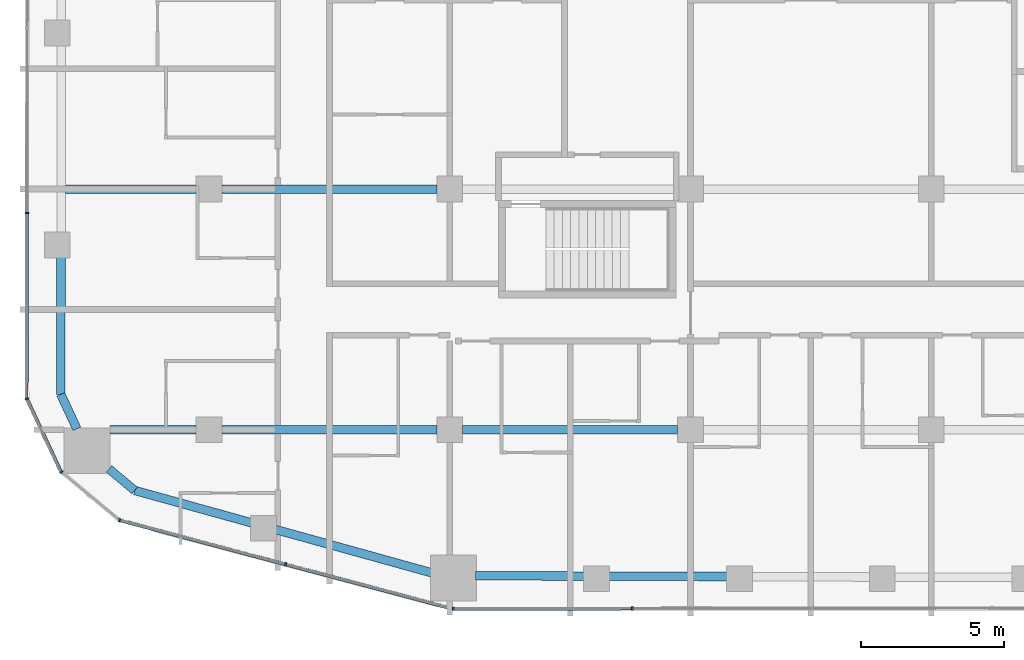
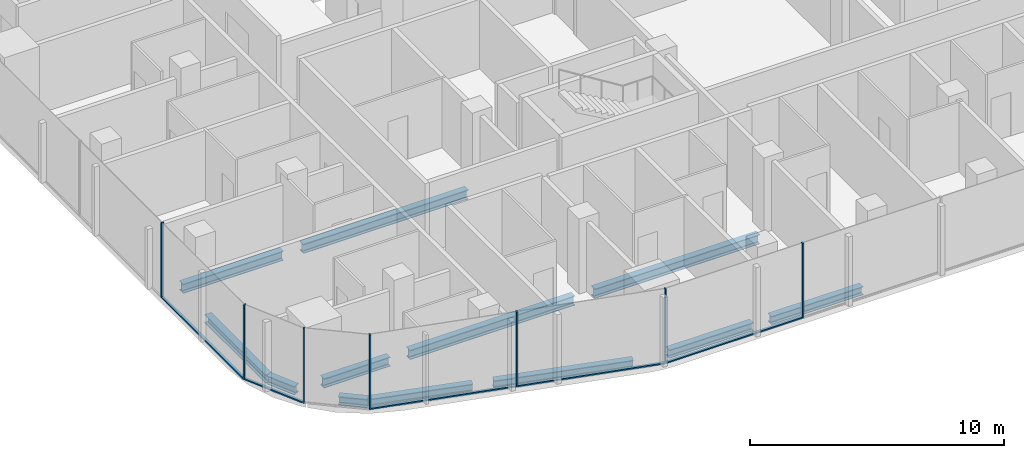
# One storey, part 2 of 23: 12 beams, 12 members, 5 elements without a shape of their own.
"""IFC4 building model written with IfcOpenShell, lengths in metres."""

import ifcopenshell
import ifcopenshell.guid

model = None  # the IFC model being written
_history = None  # IfcOwnerHistory: only IFC2X3 demands one
_inside = {}  # id of a spatial element -> (the spatial element, [elements in it])
_under = {}  # id of a project, library or spatial element -> (it, [spatial elements below it])
_declared = {}  # id of a project -> (the project, [libraries it declares])
_typed = {}  # id of a type object -> (the type object, [elements of that type])
_made_of = {}  # id of a material, layer set ... -> (it, [elements and type objects made of it])


def new_model(schema):
    """Start an empty IFC model of exactly this schema.

    Asked for "IFC4X3", IfcOpenShell would pick the latest addendum, in which some entities
    have other attributes; the version numbers below select the first issue.
    IFC2X3 requires an IfcOwnerHistory on every rooted entity: one is made here for all.
    """
    global model, _history
    if schema == "IFC4X3":
        model = ifcopenshell.file(schema_version=(4, 3, 0, 0))
    else:
        model = ifcopenshell.file(schema=schema)
    _inside.clear()
    _under.clear()
    _declared.clear()
    _typed.clear()
    _made_of.clear()
    _history = None
    if model.schema == "IFC2X3":
        org = make("IfcOrganization", Name="unknown")
        user = make(
            "IfcPersonAndOrganization",
            ThePerson=make("IfcPerson", FamilyName="unknown"),
            TheOrganization=org,
        )
        app = make(
            "IfcApplication",
            ApplicationDeveloper=org,
            Version="unknown",
            ApplicationFullName="unknown",
            ApplicationIdentifier="unknown",
        )
        _history = make(
            "IfcOwnerHistory",
            OwningUser=user,
            OwningApplication=app,
            ChangeAction="ADDED",
            CreationDate=0,
        )
    return model


def make(cls, **values):
    """One entity of the class cls with the attributes given. An attribute that is None is left unset."""
    return model.create_entity(
        cls, **{name: value for name, value in values.items() if value is not None}
    )


def rooted(cls, **values):
    """An entity with a GlobalId (a new one), such as an element, a storey or a relation."""
    return make(cls, GlobalId=ifcopenshell.guid.new(), OwnerHistory=_history, **values)


def si_unit(unit_type, name, prefix=None):
    """IfcSIUnit, for example si_unit("LENGTHUNIT", "METRE", prefix="MILLI")."""
    return make("IfcSIUnit", UnitType=unit_type, Prefix=prefix, Name=name)


def assignment(units):
    """IfcUnitAssignment: the units of a project."""
    return None if units is None else make("IfcUnitAssignment", Units=units)


def point(xyz):
    """IfcCartesianPoint."""
    return None if xyz is None else make("IfcCartesianPoint", Coordinates=xyz)


def direction(xyz):
    """IfcDirection."""
    return None if xyz is None else make("IfcDirection", DirectionRatios=xyz)


def frame(location, z_axis=None, x_axis=None):
    """IfcAxis2Placement3D, a coordinate frame: its origin and axes. An axis left out is left unset."""
    return make(
        "IfcAxis2Placement3D",
        Location=point(location),
        Axis=direction(z_axis),
        RefDirection=direction(x_axis),
    )


def frame_2d(location, x_axis=None):
    """IfcAxis2Placement2D, a coordinate frame in the plane: its origin and x axis."""
    return make(
        "IfcAxis2Placement2D", Location=point(location), RefDirection=direction(x_axis)
    )


def origin():
    """The frame at (0, 0, 0) with its axes left unset."""
    return frame((0.0, 0.0, 0.0))


def origin_2d():
    """The frame at (0, 0) in the plane with its x axis left unset."""
    return frame_2d((0.0, 0.0))


def place(relative_to, where):
    """IfcLocalPlacement: puts the frame where relative to a parent placement (None: the world)."""
    return make(
        "IfcLocalPlacement", PlacementRelTo=relative_to, RelativePlacement=where
    )


def context(
    kind, dimensions, precision=None, world=None, true_north=None, identifier=None
):
    """IfcGeometricRepresentationContext, for example the 3D "Model" context."""
    return make(
        "IfcGeometricRepresentationContext",
        ContextIdentifier=identifier,
        ContextType=kind,
        CoordinateSpaceDimension=dimensions,
        Precision=precision,
        WorldCoordinateSystem=world,
        TrueNorth=true_north,
    )


def subcontext(parent, identifier, kind, view, scale=None):
    """IfcGeometricRepresentationSubContext, for example "Body" below "Model"."""
    return make(
        "IfcGeometricRepresentationSubContext",
        ContextIdentifier=identifier,
        ContextType=kind,
        ParentContext=parent,
        TargetScale=scale,
        TargetView=view,
    )


def project(units=None, contexts=None):
    """IfcProject with its units and contexts."""
    return rooted(
        "IfcProject",
        Name="project",
        RepresentationContexts=contexts,
        UnitsInContext=assignment(units),
    )


def spatial(cls, under=None, at=None, **own):
    """A site, building, storey or space (cls), placed at a placement, below another one or the project."""
    s = rooted(cls, ObjectPlacement=at, **own)
    if under is not None:
        _under.setdefault(under.id(), (under, []))[1].append(s)
    return s


def profile(cls, at=None, kind="AREA", **sizes):
    """A parametric profile (cls). Its sizes go by their IFC names, for example OverallWidth=200.0."""
    return make(cls, ProfileType=kind, Position=at, **sizes)


def rectangle(**sizes):
    """IfcRectangleProfileDef."""
    return profile("IfcRectangleProfileDef", **sizes)


def i_section(**sizes):
    """IfcIShapeProfileDef."""
    return profile("IfcIShapeProfileDef", **sizes)


def extrude(swept, where, along, depth):
    """IfcExtrudedAreaSolid: the profile swept, set in the frame where, extruded along a direction by depth."""
    return make(
        "IfcExtrudedAreaSolid",
        SweptArea=swept,
        Position=where,
        ExtrudedDirection=direction(along),
        Depth=depth,
    )


def shape(context_of_items, identifier, shape_type, items):
    """IfcShapeRepresentation: the items that make up one representation, for example the "Body"."""
    return make(
        "IfcShapeRepresentation",
        ContextOfItems=context_of_items,
        RepresentationIdentifier=identifier,
        RepresentationType=shape_type,
        Items=items,
    )


def material(Name=None, Category=None):
    """IfcMaterial."""
    return make("IfcMaterial", Name=Name, Category=Category)


def layer(
    of_material, thickness, ventilated=None, Name=None, Category=None, Priority=None
):
    """IfcMaterialLayer: one layer of a wall or slab, of a material (None: an air gap)."""
    return make(
        "IfcMaterialLayer",
        Material=of_material,
        LayerThickness=thickness,
        IsVentilated=ventilated,
        Name=Name,
        Category=Category,
        Priority=Priority,
    )


def layer_set(layers, Name=None):
    """IfcMaterialLayerSet."""
    return make("IfcMaterialLayerSet", MaterialLayers=layers, LayerSetName=Name)


def material_profile(
    of_material, cross_section, Name=None, Category=None, Priority=None
):
    """IfcMaterialProfile: a cross section and its material."""
    return make(
        "IfcMaterialProfile",
        Name=Name,
        Material=of_material,
        Profile=cross_section,
        Priority=Priority,
        Category=Category,
    )


def profile_set(profiles, Name=None, composite=None):
    """IfcMaterialProfileSet."""
    return make(
        "IfcMaterialProfileSet",
        Name=Name,
        MaterialProfiles=profiles,
        CompositeProfile=composite,
    )


def made_of(thing, what):
    """Note that an element or type object is made of a material, layer set ...; save() writes the relation."""
    if what is not None:
        _made_of.setdefault(what.id(), (what, []))[1].append(thing)
    return thing


def type_object(cls, material=None, **own):
    """A type object (cls), such as IfcWallType, which elements share."""
    return made_of(rooted(cls, **own), material)


def element(
    cls,
    number,
    at=None,
    inside=None,
    cuts=None,
    type_object=None,
    material=None,
    context=None,
    identifier="Body",
    shape_type=None,
    held_by="IfcProductDefinitionShape",
    body=None,
    shapes=None,
    **own,
):
    """One element of the class cls, such as IfcWall. Its Tag is "e" and its number.

    at: its placement. inside: the storey or other place that contains it. cuts: it is an
    opening in that element (IfcRelVoidsElement). A single representation is given by context,
    identifier, shape_type and body (its items); several are given by shapes. held_by: the class
    of the entity that holds the representations. save() writes the other relations.
    """
    e = rooted(cls, Tag="e%d" % number, ObjectPlacement=at, **own)
    if body is not None:
        shapes = [shape(context, identifier, shape_type, body)]
    if shapes is not None:
        e.Representation = make(held_by, Representations=shapes)
    if inside is not None:
        _inside.setdefault(inside.id(), (inside, []))[1].append(e)
    if cuts is not None:
        rooted(
            "IfcRelVoidsElement", RelatingBuildingElement=cuts, RelatedOpeningElement=e
        )
    if type_object is not None:
        _typed.setdefault(type_object.id(), (type_object, []))[1].append(e)
    return made_of(e, material)


def aggregate(whole, parts):
    """IfcRelAggregates: a whole, such as a stair, and the parts it consists of."""
    return rooted("IfcRelAggregates", RelatingObject=whole, RelatedObjects=parts)


def save(model, path):
    """Write the relations noted so far, then the file.

    IfcRelAggregates (storeys below a building ...), IfcRelContainedInSpatialStructure (elements
    in a storey), IfcRelDefinesByType, IfcRelAssociatesMaterial and IfcRelDeclares: one each for
    every whole, place, type object, material and project.
    """
    for whole, parts in _under.values():
        aggregate(whole, parts)
    for where, things in _inside.values():
        rooted(
            "IfcRelContainedInSpatialStructure",
            RelatedElements=things,
            RelatingStructure=where,
        )
    for kind, things in _typed.values():
        rooted("IfcRelDefinesByType", RelatedObjects=things, RelatingType=kind)
    for what, things in _made_of.values():
        rooted("IfcRelAssociatesMaterial", RelatedObjects=things, RelatingMaterial=what)
    for by, libraries in _declared.values():
        rooted("IfcRelDeclares", RelatingContext=by, RelatedDefinitions=libraries)
    model.write(path)


model = new_model("IFC4")

# Units and contexts
model_context = context("Model", 3, precision=1e-05, world=origin(), true_north=direction((0.0, 1.0)))
body_context = subcontext(model_context, "Body", "Model", "MODEL_VIEW")
ifc_project = project(units=[si_unit("LENGTHUNIT", "METRE"), si_unit("AREAUNIT", "SQUARE_METRE"), si_unit("VOLUMEUNIT", "CUBIC_METRE"), si_unit("PLANEANGLEUNIT", "RADIAN"), si_unit("MASSUNIT", "GRAM", prefix="KILO")], contexts=[model_context])

# Site, building, storey
site_placement = place(None, origin())
site = spatial("IfcSite", under=ifc_project, at=site_placement, CompositionType="ELEMENT")
building_placement = place(site_placement, origin())
building = spatial("IfcBuilding", under=site, at=building_placement, Name="Marenta Gate Hotel Tower", CompositionType="ELEMENT")
storey_placement = place(building_placement, frame((0.0, 0.0, 112.10009765625)))
storey = spatial("IfcBuildingStorey", under=building, at=storey_placement, Name="L24", CompositionType="ELEMENT", Elevation=112.10009765625)

# Beams
ifc_material_1 = material(Name="Steel S355", Category="steel")
ifc_material_profile_1 = material_profile(ifc_material_1, i_section(OverallWidth=0.300048828125, OverallDepth=0.39990234375, WebThickness=0.013427734375, FlangeThickness=0.02392578125, FilletRadius=0.027099609375, at=origin_2d()), Name="HEB 400")
ifc_profile_set_1 = profile_set([ifc_material_profile_1], Name="Steel S355")
beam_type_1 = type_object("IfcBeamType", Name="Edge beam HEB 400", PredefinedType="SPANDREL", material=ifc_profile_set_1)
beam_1_placement = place(storey_placement, frame((-13.227783203125, -21.794677734375, -0.460205078125), z_axis=(-0.963615860477, 0.267290990189, 0.0), x_axis=(-0.267290990189, -0.963615860477, 0.0)))
element("IfcBeam", 1, at=beam_1_placement, inside=storey, type_object=beam_type_1, Name="L24-EB-1", PredefinedType="SPANDREL", context=body_context, shape_type="SweptSolid", body=[
    extrude(i_section(OverallWidth=0.300048828125, OverallDepth=0.39990234375, WebThickness=0.013427734375, FlangeThickness=0.02392578125, FilletRadius=0.027099609375, at=origin_2d()), origin(), (0.0, 0.0, 1.0), 5.674072265625),
])
beam_2_placement = place(storey_placement, frame((-19.518310546875, -20.0498046875, -0.460205078125), z_axis=(-0.963630213062, 0.267239242016, 0.0), x_axis=(-0.267239242016, -0.963630213062, 0.0)))
element("IfcBeam", 2, at=beam_2_placement, inside=storey, type_object=beam_type_1, Name="L24-EB-2", PredefinedType="SPANDREL", context=body_context, shape_type="SweptSolid", body=[
    extrude(i_section(OverallWidth=0.300048828125, OverallDepth=0.39990234375, WebThickness=0.013427734375, FlangeThickness=0.02392578125, FilletRadius=0.027099609375, at=origin_2d()), origin(), (0.0, 0.0, 1.0), 4.232666015625),
])
beam_3_placement = place(storey_placement, frame((-23.596923828125, -18.918701171875, -0.460205078125), z_axis=(-0.767073132856, 0.641559668972, 0.0), x_axis=(-0.641559668972, -0.767073132856, 0.0)))
element("IfcBeam", 3, at=beam_3_placement, inside=storey, type_object=beam_type_1, Name="L24-EB-3", PredefinedType="SPANDREL", context=body_context, shape_type="SweptSolid", body=[
    extrude(i_section(OverallWidth=0.300048828125, OverallDepth=0.39990234375, WebThickness=0.013427734375, FlangeThickness=0.02392578125, FilletRadius=0.027099609375, at=origin_2d()), origin(), (0.0, 0.0, 1.0), 1.1689453125),
])
beam_4_placement = place(storey_placement, frame((-25.613525390625, -16.769287109375, -0.460205078125), z_axis=(-0.423207780269, 0.906032656541, 0.0), x_axis=(-0.906032656541, -0.423207780269, 0.0)))
element("IfcBeam", 4, at=beam_4_placement, inside=storey, type_object=beam_type_1, Name="L24-EB-4", PredefinedType="SPANDREL", context=body_context, shape_type="SweptSolid", body=[
    extrude(i_section(OverallWidth=0.300048828125, OverallDepth=0.39990234375, WebThickness=0.013427734375, FlangeThickness=0.02392578125, FilletRadius=0.027099609375, at=origin_2d()), origin(), (0.0, 0.0, 1.0), 1.326904296875),
])
beam_5_placement = place(storey_placement, frame((-26.175048828125, -15.567138671875, -0.460205078125), z_axis=(0.001371810517, 0.999999059068, 0.0), x_axis=(-0.999999059068, 0.001371810517, 0.0)))
element("IfcBeam", 5, at=beam_5_placement, inside=storey, type_object=beam_type_1, Name="L24-EB-5", PredefinedType="SPANDREL", context=body_context, shape_type="SweptSolid", body=[
    extrude(i_section(OverallWidth=0.300048828125, OverallDepth=0.39990234375, WebThickness=0.013427734375, FlangeThickness=0.02392578125, FilletRadius=0.027099609375, at=origin_2d()), origin(), (0.0, 0.0, 1.0), 4.80517578125),
])
beam_6_placement = place(storey_placement, frame((-2.9033203125, -21.92333984375, -0.460205078125), z_axis=(-0.999994807487, 0.003222576575, 0.0), x_axis=(-0.003222576575, -0.999994807487, 0.0)))
element("IfcBeam", 6, at=beam_6_placement, inside=storey, type_object=beam_type_1, Name="L24-EB-35", PredefinedType="SPANDREL", context=body_context, shape_type="SweptSolid", body=[
    extrude(i_section(OverallWidth=0.300048828125, OverallDepth=0.39990234375, WebThickness=0.013427734375, FlangeThickness=0.02392578125, FilletRadius=0.027099609375, at=origin_2d()), origin(), (0.0, 0.0, 1.0), 4.166748046875),
])
beam_7_placement = place(storey_placement, frame((-7.89013671875, -21.907470703125, -0.460205078125), z_axis=(-0.999994677283, 0.003262729738, 0.0), x_axis=(-0.003262729738, -0.999994677283, 0.0)))
element("IfcBeam", 7, at=beam_7_placement, inside=storey, type_object=beam_type_1, Name="L24-EB-36", PredefinedType="SPANDREL", context=body_context, shape_type="SweptSolid", body=[
    extrude(i_section(OverallWidth=0.300048828125, OverallDepth=0.39990234375, WebThickness=0.013427734375, FlangeThickness=0.02392578125, FilletRadius=0.027099609375, at=origin_2d()), origin(), (0.0, 0.0, 1.0), 3.816162109375),
])
ifc_material_2 = material(Name="Steel S355", Category="steel")
ifc_material_profile_2 = material_profile(ifc_material_2, i_section(OverallWidth=0.300048828125, OverallDepth=0.449951171875, WebThickness=0.013916015625, FlangeThickness=0.02587890625, FilletRadius=0.027099609375, at=origin_2d()), Name="HEB 450")
ifc_profile_set_2 = profile_set([ifc_material_profile_2], Name="Steel S355")
beam_type_2 = type_object("IfcBeamType", Name="Girder HEB 450", PredefinedType="BEAM", material=ifc_profile_set_2)
beam_8_placement = place(storey_placement, frame((-24.462890625, -16.800048828125, -0.485107421875), z_axis=(1.0, 0.0, 0.0), x_axis=(0.0, 1.0, 0.0)))
element("IfcBeam", 8, at=beam_8_placement, inside=storey, type_object=beam_type_2, Name="L24-GD-1", PredefinedType="BEAM", context=body_context, shape_type="SweptSolid", body=[
    extrude(i_section(OverallWidth=0.300048828125, OverallDepth=0.449951171875, WebThickness=0.013916015625, FlangeThickness=0.02587890625, FilletRadius=0.027099609375, at=origin_2d()), origin(), (0.0, 0.0, 1.0), 3.012939453125),
])
for number, where, z_axis, x_axis, name in (
    (9, (-20.550048828125, -16.800048828125, -0.485107421875), (1.0, 0.0, 0.0), (0.0, 1.0, 0.0), "L24-GD-2"),
    (10, (-12.14990234375, -16.800048828125, -0.485107421875), (1.0, 0.0, 0.0), (0.0, 1.0, 0.0), "L24-GD-3"),
):
    element("IfcBeam", number, at=place(storey_placement, frame(where, z_axis=z_axis, x_axis=x_axis)), inside=storey, type_object=beam_type_2, Name=name, PredefinedType="BEAM", context=body_context, shape_type="SweptSolid", body=[
        extrude(i_section(OverallWidth=0.300048828125, OverallDepth=0.449951171875, WebThickness=0.013916015625, FlangeThickness=0.02587890625, FilletRadius=0.027099609375, at=origin_2d()), origin(), (0.0, 0.0, 1.0), 7.5),
    ])
beam_9_placement = place(storey_placement, frame((-26.01513671875, -8.39990234375, -0.485107421875), z_axis=(1.0, 0.0, 0.0), x_axis=(0.0, 1.0, 0.0)))
element("IfcBeam", 11, at=beam_9_placement, inside=storey, type_object=beam_type_2, Name="L24-GD-8", PredefinedType="BEAM", context=body_context, shape_type="SweptSolid", body=[
    extrude(i_section(OverallWidth=0.300048828125, OverallDepth=0.449951171875, WebThickness=0.013916015625, FlangeThickness=0.02587890625, FilletRadius=0.027099609375, at=origin_2d()), origin(), (0.0, 0.0, 1.0), 4.565185546875),
])
beam_10_placement = place(storey_placement, frame((-20.550048828125, -8.39990234375, -0.485107421875), z_axis=(1.0, 0.0, 0.0), x_axis=(0.0, 1.0, 0.0)))
element("IfcBeam", 12, at=beam_10_placement, inside=storey, type_object=beam_type_2, Name="L24-GD-9", PredefinedType="BEAM", context=body_context, shape_type="SweptSolid", body=[
    extrude(i_section(OverallWidth=0.300048828125, OverallDepth=0.449951171875, WebThickness=0.013916015625, FlangeThickness=0.02587890625, FilletRadius=0.027099609375, at=origin_2d()), origin(), (0.0, 0.0, 1.0), 7.5),
])

# Curtain wall, member
ifc_material_3 = material(Name="Tinted insulated glass in bronze anodised frame", Category="glass")
ifc_layer = layer(ifc_material_3, 0.1201171875)
ifc_layer_set = layer_set([ifc_layer], Name="Tinted insulated glass in bronze anodised frame")
curtain_wall_type = type_object("IfcCurtainWallType", Name="Tower unitised curtain wall CW1", PredefinedType="NOTDEFINED", material=ifc_layer_set)
curtain_wall_1_placement = place(storey_placement, origin())
curtain_wall_1 = element("IfcCurtainWall", 13, at=curtain_wall_1_placement, inside=storey, type_object=curtain_wall_type, Name="CW1 run G03", PredefinedType="NOTDEFINED")
ifc_material_4 = material(Name="Bronze anodised aluminium", Category="aluminium")
ifc_material_profile_3 = material_profile(ifc_material_4, rectangle(XDim=0.1201171875, YDim=0.06005859375, at=origin_2d()), Name="Mullion CW1 60x120 bronze anodised aluminium")
ifc_profile_set_3 = profile_set([ifc_material_profile_3], Name="Bronze anodised aluminium")
member_type_1 = type_object("IfcMemberType", Name="Mullion CW1 60x120 bronze anodised aluminium", PredefinedType="MULLION", material=ifc_profile_set_3)
member_1_placement = place(storey_placement, frame((-27.36279296875, -9.23388671875, 0.0), z_axis=(0.0, 0.0, 1.0), x_axis=(0.99999877375, -0.001566045546, 0.0)))
member_1 = element("IfcMember", 14, at=member_1_placement, type_object=member_type_1, Name="CW1 mullion 6", PredefinedType="MULLION", context=body_context, shape_type="SweptSolid", body=[
    extrude(rectangle(XDim=0.1201171875, YDim=0.06005859375, at=origin_2d()), origin(), (0.0, 0.0, 1.0), 3.599853515625),
])

curtain_wall_2_placement = place(storey_placement, origin())
curtain_wall_2 = element("IfcCurtainWall", 15, at=curtain_wall_2_placement, inside=storey, type_object=curtain_wall_type, Name="CW1 run G04", PredefinedType="NOTDEFINED")
member_2_placement = place(storey_placement, frame((-27.3603515625, -15.720947265625, 0.0), z_axis=(0.0, 0.0, 1.0), x_axis=(0.905971778319, 0.423338088163, 0.0)))
member_2 = element("IfcMember", 16, at=member_2_placement, type_object=member_type_1, Name="CW1 mullion 1", PredefinedType="MULLION", context=body_context, shape_type="SweptSolid", body=[
    extrude(rectangle(XDim=0.1201171875, YDim=0.06005859375, at=origin_2d()), origin(), (0.0, 0.0, 1.0), 3.599853515625),
])

curtain_wall_3_placement = place(storey_placement, origin())
curtain_wall_3 = element("IfcCurtainWall", 17, at=curtain_wall_3_placement, inside=storey, type_object=curtain_wall_type, Name="CW1 run G05", PredefinedType="NOTDEFINED")
member_3_placement = place(storey_placement, frame((-26.152099609375, -18.27685546875, 0.0), z_axis=(0.0, 0.0, 1.0), x_axis=(0.641512168126, 0.767112858807, 0.0)))
member_3 = element("IfcMember", 18, at=member_3_placement, type_object=member_type_1, Name="CW1 mullion 1", PredefinedType="MULLION", context=body_context, shape_type="SweptSolid", body=[
    extrude(rectangle(XDim=0.1201171875, YDim=0.06005859375, at=origin_2d()), origin(), (0.0, 0.0, 1.0), 3.599853515625),
])
aggregate(curtain_wall_3, [member_3])

# Curtain wall, members
curtain_wall_4_placement = place(storey_placement, origin())
curtain_wall_4 = element("IfcCurtainWall", 19, at=curtain_wall_4_placement, inside=storey, type_object=curtain_wall_type, Name="CW1 run G06", PredefinedType="NOTDEFINED")
member_4_placement = place(storey_placement, frame((-24.12451171875, -19.955810546875, 0.0), z_axis=(0.0, 0.0, 1.0), x_axis=(0.257143631229, 0.966373195468, 0.0)))
member_4 = element("IfcMember", 20, at=member_4_placement, type_object=member_type_1, Name="CW1 mullion 1", PredefinedType="MULLION", context=body_context, shape_type="SweptSolid", body=[
    extrude(rectangle(XDim=0.1201171875, YDim=0.06005859375, at=origin_2d()), origin(), (0.0, 0.0, 1.0), 3.599853515625),
])
member_5_placement = place(storey_placement, frame((-18.32958984375, -21.497802734375, 0.0), z_axis=(0.0, 0.0, 1.0), x_axis=(0.257143631229, 0.966373195468, 0.0)))
member_5 = element("IfcMember", 21, at=member_5_placement, type_object=member_type_1, Name="CW1 mullion 2", PredefinedType="MULLION", context=body_context, shape_type="SweptSolid", body=[
    extrude(rectangle(XDim=0.1201171875, YDim=0.06005859375, at=origin_2d()), origin(), (0.0, 0.0, 1.0), 3.599853515625),
])

curtain_wall_5_placement = place(storey_placement, origin())
curtain_wall_5 = element("IfcCurtainWall", 22, at=curtain_wall_5_placement, inside=storey, type_object=curtain_wall_type, Name="CW1 run G07", PredefinedType="NOTDEFINED")
member_6_placement = place(storey_placement, frame((-12.475830078125, -23.04736328125, 0.0), z_axis=(0.0, 0.0, 1.0), x_axis=(-0.001362347707, 0.999999072004, 0.0)))
member_6 = element("IfcMember", 23, at=member_6_placement, type_object=member_type_1, Name="CW1 mullion 1", PredefinedType="MULLION", context=body_context, shape_type="SweptSolid", body=[
    extrude(rectangle(XDim=0.1201171875, YDim=0.06005859375, at=origin_2d()), origin(), (0.0, 0.0, 1.0), 3.599853515625),
])
member_7_placement = place(storey_placement, frame((-6.22998046875, -23.0390625, 0.0), z_axis=(0.0, 0.0, 1.0), x_axis=(-0.001362347707, 0.999999072004, 0.0)))
member_7 = element("IfcMember", 24, at=member_7_placement, type_object=member_type_1, Name="CW1 mullion 2", PredefinedType="MULLION", context=body_context, shape_type="SweptSolid", body=[
    extrude(rectangle(XDim=0.1201171875, YDim=0.06005859375, at=origin_2d()), origin(), (0.0, 0.0, 1.0), 3.599853515625),
])

# Member
ifc_material_5 = material(Name="Bronze anodised aluminium", Category="aluminium")
ifc_material_profile_4 = material_profile(ifc_material_5, rectangle(XDim=0.1201171875, YDim=0.06005859375, at=origin_2d()), Name="Transom CW1 60x120 bronze anodised aluminium")
ifc_profile_set_4 = profile_set([ifc_material_profile_4], Name="Bronze anodised aluminium")
member_type_2 = type_object("IfcMemberType", Name="Transom CW1 60x120 bronze anodised aluminium", PredefinedType="USERDEFINED", material=ifc_profile_set_4)
member_8_placement = place(storey_placement, frame((-27.363037109375, -9.263916015625, 0.02978515625), z_axis=(-0.001556743377, -0.999998788274, 0.0), x_axis=(0.999998788274, -0.001556743377, 0.0)))
member_8 = element("IfcMember", 25, at=member_8_placement, type_object=member_type_2, Name="CW1 transom 6.1", ObjectType="TRANSOM", PredefinedType="USERDEFINED", context=body_context, shape_type="SweptSolid", body=[
    extrude(rectangle(XDim=0.1201171875, YDim=0.06005859375, at=origin_2d()), origin(), (0.0, 0.0, 1.0), 6.429931640625),
])

aggregate(curtain_wall_1, [member_1, member_8])

member_9_placement = place(storey_placement, frame((-27.34765625, -15.748046875, 0.02978515625), z_axis=(0.423329323939, -0.905975873572, 0.0), x_axis=(0.905975873572, 0.423329323939, 0.0)))
member_9 = element("IfcMember", 26, at=member_9_placement, type_object=member_type_2, Name="CW1 transom 1.1", ObjectType="TRANSOM", PredefinedType="USERDEFINED", context=body_context, shape_type="SweptSolid", body=[
    extrude(rectangle(XDim=0.1201171875, YDim=0.06005859375, at=origin_2d()), origin(), (0.0, 0.0, 1.0), 2.77001953125),
])

aggregate(curtain_wall_2, [member_2, member_9])

member_10_placement = place(storey_placement, frame((-24.095458984375, -19.963623046875, 0.02978515625), z_axis=(0.966369276777, -0.257158357634, 0.0), x_axis=(0.257158357634, 0.966369276777, 0.0)))
member_10 = element("IfcMember", 27, at=member_10_placement, type_object=member_type_2, Name="CW1 transom 1.1", ObjectType="TRANSOM", PredefinedType="USERDEFINED", context=body_context, shape_type="SweptSolid", body=[
    extrude(rectangle(XDim=0.1201171875, YDim=0.06005859375, at=origin_2d()), origin(), (0.0, 0.0, 1.0), 5.9365234375),
])

member_11_placement = place(storey_placement, frame((-18.300537109375, -21.505615234375, 0.02978515625), z_axis=(0.966369960125, -0.257155789684, 0.0), x_axis=(0.257155789684, 0.966369960125, 0.0)))
member_11 = element("IfcMember", 28, at=member_11_placement, type_object=member_type_2, Name="CW1 transom 2.1", ObjectType="TRANSOM", PredefinedType="USERDEFINED", context=body_context, shape_type="SweptSolid", body=[
    extrude(rectangle(XDim=0.1201171875, YDim=0.06005859375, at=origin_2d()), origin(), (0.0, 0.0, 1.0), 5.996337890625),
])

aggregate(curtain_wall_4, [member_4, member_5, member_10, member_11])

member_12_placement = place(storey_placement, frame((-12.44580078125, -23.04736328125, 0.02978515625), z_axis=(0.999999099639, 0.001341909831, 0.0), x_axis=(-0.001341909831, 0.999999099639, 0.0)))
member_12 = element("IfcMember", 29, at=member_12_placement, type_object=member_type_2, Name="CW1 transom 1.1", ObjectType="TRANSOM", PredefinedType="USERDEFINED", context=body_context, shape_type="SweptSolid", body=[
    extrude(rectangle(XDim=0.1201171875, YDim=0.06005859375, at=origin_2d()), origin(), (0.0, 0.0, 1.0), 6.185791015625),
])

aggregate(curtain_wall_5, [member_6, member_7, member_12])

save(model, "model.ifc")
